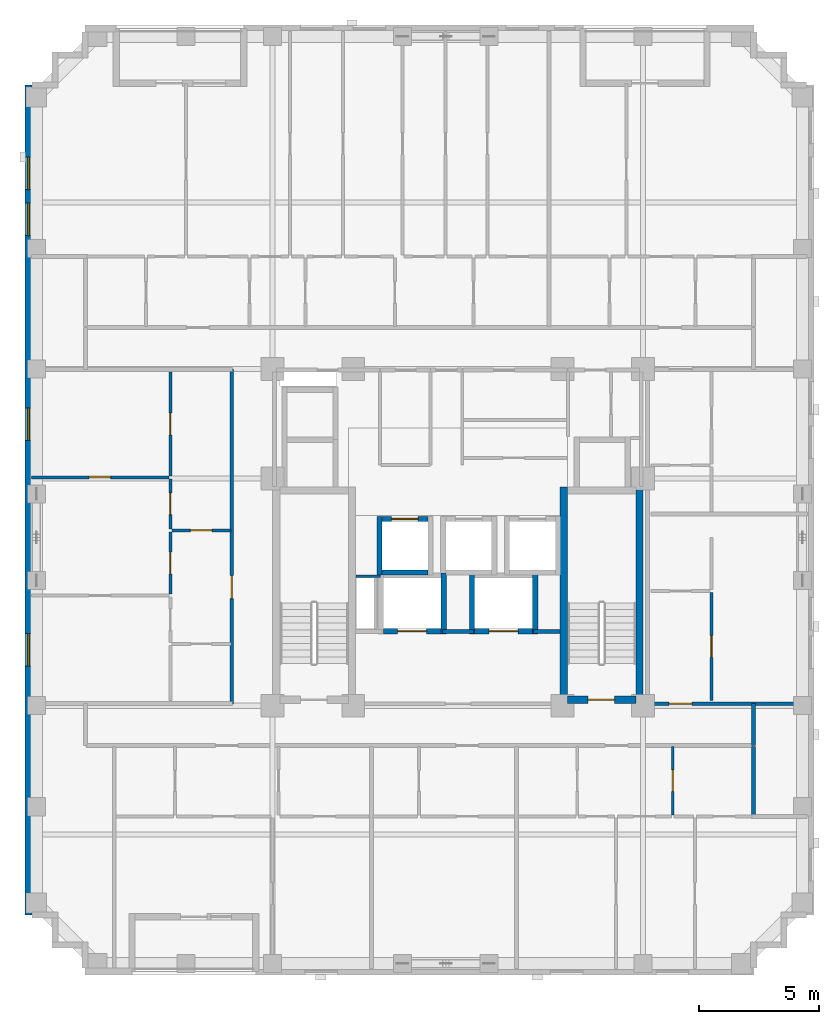
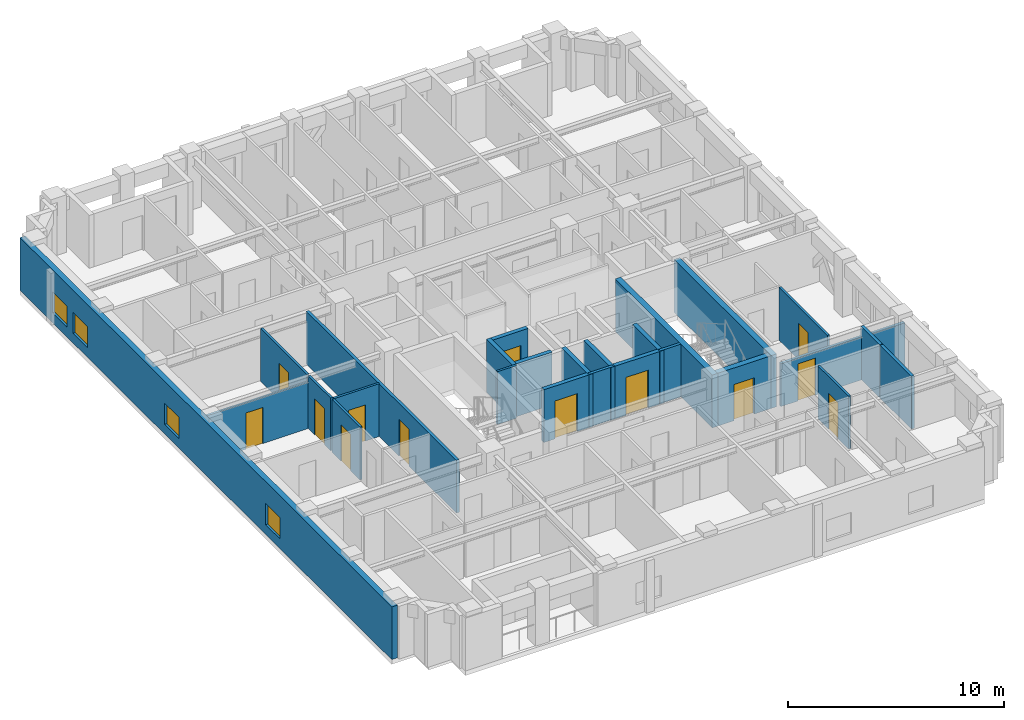
# One storey, part 4 of 11: 26 walls, 13 doors, 4 windows, 17 openings.
"""IFC4 building model written with IfcOpenShell, lengths in metres."""

from ifc_helpers import new_model, si_unit, derived_unit, direction, frame, frame_2d, origin, place, context, subcontext, project, spatial, rectangle, extrude, material, layer, layer_set, type_object, element, fill, save


model = new_model("IFC4")

# Units and contexts
model_context = context("Model", 3, precision=1e-05, world=origin(), true_north=direction((0.0, 1.0)))
body_context = subcontext(model_context, "Body", "Model", "MODEL_VIEW")
ifc_project = project(units=[si_unit("LENGTHUNIT", "METRE"), si_unit("AREAUNIT", "SQUARE_METRE"), si_unit("VOLUMEUNIT", "CUBIC_METRE"), si_unit("PLANEANGLEUNIT", "RADIAN"), si_unit("MASSUNIT", "GRAM", prefix="KILO"), derived_unit("THERMALTRANSMITTANCEUNIT", [(si_unit("MASSUNIT", "GRAM", prefix="KILO"), 1), (si_unit("TIMEUNIT", "SECOND"), -3), (si_unit("THERMODYNAMICTEMPERATUREUNIT", "KELVIN"), -1)])], contexts=[model_context])

# Site, building, storey
site_placement = place(None, origin())
site = spatial("IfcSite", under=ifc_project, at=site_placement, CompositionType="ELEMENT")
building_placement = place(site_placement, origin())
building = spatial("IfcBuilding", under=site, at=building_placement, Name="Korrvale Station Residences", CompositionType="ELEMENT")
storey_placement = place(building_placement, frame((0.0, 0.0, 134.14990234375)))
storey = spatial("IfcBuildingStorey", under=building, at=storey_placement, Name="L38", CompositionType="ELEMENT", Elevation=134.14990234375)

# Walls
ifc_material_1 = material(Name="Concrete C60/75", Category="concrete")
ifc_layer_1 = layer(ifc_material_1, 0.300048828125, Name="Concrete C60/75")
ifc_layer_set_1 = layer_set([ifc_layer_1], Name="Concrete C60/75")
wall_type_1 = type_object("IfcWallType", Name="WAL-CORE-300-C60", PredefinedType="SHEAR", material=ifc_layer_set_1)
for number, where, z_axis, x_axis, name in (
    (1, (29.89990234375, 15.10009765625, 0.0), (0.0, 0.0, 1.0), (0.0, 1.0, 0.0), "L38 ST-2 Core Shear Wall West"),
    (2, (33.050048828125, 15.10009765625, 0.0), (0.0, 0.0, 1.0), (0.0, 1.0, 0.0), "L38 ST-2 Core Shear Wall East"),
):
    element("IfcWall", number, at=place(storey_placement, frame(where, z_axis=z_axis, x_axis=x_axis)), inside=storey, type_object=wall_type_1, Name=name, PredefinedType="SHEAR", context=body_context, shape_type="SweptSolid", body=[
        extrude(rectangle(XDim=9.0, YDim=0.300048828125, at=frame_2d((4.5, 0.0))), origin(), (0.0, 0.0, 1.0), 2.989990234375),
    ])

# Wall, opening, door
wall_1_placement = place(storey_placement, frame((30.050048828125, 15.25, 0.0), z_axis=(0.0, 0.0, 1.0), x_axis=(1.0, 0.0, 0.0)))
wall_1 = element("IfcWall", 3, at=wall_1_placement, inside=storey, type_object=wall_type_1, Name="L38 ST-2 Core Shear Wall South", PredefinedType="SHEAR", context=body_context, shape_type="SweptSolid", body=[
    extrude(rectangle(XDim=2.849853515625, YDim=0.300048828125, at=frame_2d((1.4248046875, 0.0))), origin(), (0.0, 0.0, 1.0), 2.989990234375),
])
opening_1_placement = place(wall_1_placement, frame((0.860107421875, 0.0, 0.0)))
opening_1 = element("IfcOpeningElement", 4, at=opening_1_placement, cuts=wall_1, Name="Opening SD-1100", PredefinedType="OPENING", context=body_context, shape_type="SweptSolid", body=[
    extrude(rectangle(XDim=1.10009765625, YDim=2.050048828125, at=frame_2d((0.550048828125, 1.02490234375))), frame((0.0, 0.16015625, 0.0), z_axis=(0.0, -1.0, 0.0), x_axis=(1.0, 0.0, 0.0)), (0.0, 0.0, 1.0), 0.320068359375),
])
ifc_material_2 = material(Name="Hollow-metal fire-rated stair door with closer", Category="steel")
door_type_1 = type_object("IfcDoorType", Name="DR-STAIR-1100", OperationType="NOTDEFINED", PredefinedType="DOOR", material=ifc_material_2)
door_1_placement = place(opening_1_placement, origin())
door_1 = element("IfcDoor", 5, at=door_1_placement, inside=storey, type_object=door_type_1, Name="L38 ST-2 Exit Stair Door", OperationType="SINGLE_SWING_RIGHT", OverallHeight=2.050048828125, OverallWidth=1.10009765625, PredefinedType="DOOR", context=body_context, shape_type="SweptSolid", body=[
    extrude(rectangle(XDim=1.10009765625, YDim=2.050048828125, at=frame_2d((0.550048828125, 1.02490234375))), frame((0.0, 0.02490234375, 0.0), z_axis=(0.0, -1.0, 0.0), x_axis=(1.0, 0.0, 0.0)), (0.0, 0.0, 1.0), 0.050048828125),
])
fill(opening_1, door_1)

# Wall, openings, windows
ifc_material_3 = material(Name="Precast concrete C45/55", Category="concrete")
ifc_layer_2 = layer(ifc_material_3, 0.300048828125, Name="Precast concrete C45/55")
ifc_layer_set_2 = layer_set([ifc_layer_2], Name="Precast concrete C45/55")
wall_type_2 = type_object("IfcWallType", Name="WAL-EXT-PC300", PredefinedType="SOLIDWALL", material=ifc_layer_set_2)
wall_2_placement = place(storey_placement, frame((7.64990234375, 6.300048828125, 0.0), z_axis=(0.0, 0.0, 1.0), x_axis=(0.0, 1.0, 0.0)))
wall_2 = element("IfcWall", 6, at=wall_2_placement, inside=storey, type_object=wall_type_2, Name="L38 West Exterior Precast Wall 1", PredefinedType="SOLIDWALL", context=body_context, shape_type="SweptSolid", body=[
    extrude(rectangle(XDim=34.5, YDim=0.300048828125, at=frame_2d((17.25, 0.0))), origin(), (0.0, 0.0, 1.0), 2.989990234375),
])
opening_2_placement = place(wall_2_placement, frame((30.14990234375, 0.0, 0.550048828125)))
opening_2 = element("IfcOpeningElement", 7, at=opening_2_placement, cuts=wall_2, Name="Opening W-10", PredefinedType="OPENING", context=body_context, shape_type="SweptSolid", body=[
    extrude(rectangle(XDim=1.35009765625, YDim=1.199951171875, at=frame_2d((0.675048828125, 0.60009765625))), frame((0.0, 0.16015625, 0.0), z_axis=(0.0, -1.0, 0.0), x_axis=(1.0, 0.0, 0.0)), (0.0, 0.0, 1.0), 0.320068359375),
])
opening_3_placement = place(wall_2_placement, frame((28.235107421875, 0.0, 0.550048828125)))
opening_3 = element("IfcOpeningElement", 8, at=opening_3_placement, cuts=wall_2, Name="Opening W-10", PredefinedType="OPENING", context=body_context, shape_type="SweptSolid", body=[
    extrude(rectangle(XDim=1.35009765625, YDim=1.199951171875, at=frame_2d((0.675048828125, 0.60009765625))), frame((0.0, 0.16015625, 0.0), z_axis=(0.0, -1.0, 0.0), x_axis=(1.0, 0.0, 0.0)), (0.0, 0.0, 1.0), 0.320068359375),
])
opening_4_placement = place(wall_2_placement, frame((10.35009765625, 0.0, 0.550048828125)))
opening_4 = element("IfcOpeningElement", 9, at=opening_4_placement, cuts=wall_2, Name="Opening W-10", PredefinedType="OPENING", context=body_context, shape_type="SweptSolid", body=[
    extrude(rectangle(XDim=1.35009765625, YDim=1.199951171875, at=frame_2d((0.675048828125, 0.60009765625))), frame((0.0, 0.16015625, 0.0), z_axis=(0.0, -1.0, 0.0), x_axis=(1.0, 0.0, 0.0)), (0.0, 0.0, 1.0), 0.320068359375),
])
opening_5_placement = place(wall_2_placement, frame((19.72509765625, 0.0, 0.550048828125)))
opening_5 = element("IfcOpeningElement", 10, at=opening_5_placement, cuts=wall_2, Name="Opening W-10", PredefinedType="OPENING", context=body_context, shape_type="SweptSolid", body=[
    extrude(rectangle(XDim=1.35009765625, YDim=1.199951171875, at=frame_2d((0.675048828125, 0.60009765625))), frame((0.0, 0.16015625, 0.0), z_axis=(0.0, -1.0, 0.0), x_axis=(1.0, 0.0, 0.0)), (0.0, 0.0, 1.0), 0.320068359375),
])
ifc_material_4 = material(Name="Thermally broken aluminium frame with triple low-e glazing", Category="aluminium")
window_type = type_object("IfcWindowType", Name="WIN-W10", PartitioningType="SINGLE_PANEL", PredefinedType="WINDOW", material=ifc_material_4)
window_1_placement = place(opening_2_placement, origin())
window_1 = element("IfcWindow", 11, at=window_1_placement, inside=storey, type_object=window_type, Name="L38 Punched Window 06", OverallHeight=1.199951171875, OverallWidth=1.35009765625, PartitioningType="SINGLE_PANEL", PredefinedType="WINDOW", context=body_context, shape_type="SweptSolid", body=[
    extrude(rectangle(XDim=1.35009765625, YDim=1.199951171875, at=frame_2d((0.675048828125, 0.60009765625))), frame((0.0, 0.030029296875, 0.0), z_axis=(0.0, -1.0, 0.0), x_axis=(1.0, 0.0, 0.0)), (0.0, 0.0, 1.0), 0.06005859375),
])
fill(opening_2, window_1)
window_2_placement = place(opening_3_placement, origin())
window_2 = element("IfcWindow", 12, at=window_2_placement, inside=storey, type_object=window_type, Name="L38 Punched Window 07", OverallHeight=1.199951171875, OverallWidth=1.35009765625, PartitioningType="SINGLE_PANEL", PredefinedType="WINDOW", context=body_context, shape_type="SweptSolid", body=[
    extrude(rectangle(XDim=1.35009765625, YDim=1.199951171875, at=frame_2d((0.675048828125, 0.60009765625))), frame((0.0, 0.030029296875, 0.0), z_axis=(0.0, -1.0, 0.0), x_axis=(1.0, 0.0, 0.0)), (0.0, 0.0, 1.0), 0.06005859375),
])
fill(opening_3, window_2)
window_3_placement = place(opening_4_placement, origin())
window_3 = element("IfcWindow", 13, at=window_3_placement, inside=storey, type_object=window_type, Name="L38 Punched Window 15", OverallHeight=1.199951171875, OverallWidth=1.35009765625, PartitioningType="SINGLE_PANEL", PredefinedType="WINDOW", context=body_context, shape_type="SweptSolid", body=[
    extrude(rectangle(XDim=1.35009765625, YDim=1.199951171875, at=frame_2d((0.675048828125, 0.60009765625))), frame((0.0, 0.030029296875, 0.0), z_axis=(0.0, -1.0, 0.0), x_axis=(1.0, 0.0, 0.0)), (0.0, 0.0, 1.0), 0.06005859375),
])
fill(opening_4, window_3)
window_4_placement = place(opening_5_placement, origin())
window_4 = element("IfcWindow", 14, at=window_4_placement, inside=storey, type_object=window_type, Name="L38 Punched Window 16", OverallHeight=1.199951171875, OverallWidth=1.35009765625, PartitioningType="SINGLE_PANEL", PredefinedType="WINDOW", context=body_context, shape_type="SweptSolid", body=[
    extrude(rectangle(XDim=1.35009765625, YDim=1.199951171875, at=frame_2d((0.675048828125, 0.60009765625))), frame((0.0, 0.030029296875, 0.0), z_axis=(0.0, -1.0, 0.0), x_axis=(1.0, 0.0, 0.0)), (0.0, 0.0, 1.0), 0.06005859375),
])
fill(opening_5, window_4)

# Wall
ifc_material_5 = material(Name="Acoustic steel-stud gypsum board partition", Category="steel")
ifc_layer_3 = layer(ifc_material_5, 0.1201171875, Name="Acoustic steel-stud gypsum board partition")
ifc_layer_set_3 = layer_set([ifc_layer_3], Name="Acoustic steel-stud gypsum board partition")
wall_type_3 = type_object("IfcWallType", Name="WAL-PART-125", PredefinedType="PARTITIONING", material=ifc_layer_set_3)
wall_3_placement = place(storey_placement, frame((22.280029296875, 20.3798828125, 0.0), z_axis=(0.0, 0.0, 1.0), x_axis=(-1.0, 0.0, 0.0)))
element("IfcWall", 15, at=wall_3_placement, inside=storey, type_object=wall_type_3, Name="L38 Core Partition CW-RSWT-N", PredefinedType="PARTITIONING", context=body_context, shape_type="SweptSolid", body=[
    extrude(rectangle(XDim=1.02001953125, YDim=0.1201171875, at=frame_2d((0.510009765625, 0.0))), origin(), (0.0, 0.0, 1.0), 2.989990234375),
])

# Wall, opening, door
wall_4_placement = place(storey_placement, frame((34.429931640625, 10.4599609375, 0.0), z_axis=(0.0, 0.0, 1.0), x_axis=(0.0, 1.0, 0.0)))
wall_4 = element("IfcWall", 16, at=wall_4_placement, inside=storey, type_object=wall_type_3, Name="L38 Suite Partition U03-V12", PredefinedType="PARTITIONING", context=body_context, shape_type="SweptSolid", body=[
    extrude(rectangle(XDim=2.85009765625, YDim=0.1201171875, at=frame_2d((1.425048828125, 0.0))), origin(), (0.0, 0.0, 1.0), 2.989990234375),
])
opening_6_placement = place(wall_4_placement, frame((0.97509765625, 0.0, 0.0)))
opening_6 = element("IfcOpeningElement", 17, at=opening_6_placement, cuts=wall_4, Name="Opening DI-900", PredefinedType="OPENING", context=body_context, shape_type="SweptSolid", body=[
    extrude(rectangle(XDim=0.89990234375, YDim=2.050048828125, at=frame_2d((0.449951171875, 1.02490234375))), frame((0.0, 0.070068359375, 0.0), z_axis=(0.0, -1.0, 0.0), x_axis=(1.0, 0.0, 0.0)), (0.0, 0.0, 1.0), 0.14013671875),
])
ifc_material_6 = material(Name="Painted solid-core timber interior room door", Category="wood")
door_type_2 = type_object("IfcDoorType", Name="DR-INT-900", OperationType="NOTDEFINED", PredefinedType="DOOR", material=ifc_material_6)
door_2_placement = place(opening_6_placement, origin())
door_2 = element("IfcDoor", 18, at=door_2_placement, inside=storey, type_object=door_type_2, Name="L38 Apartment 1BR L38-U03 Kitchen Door", OperationType="SINGLE_SWING_RIGHT", OverallHeight=2.050048828125, OverallWidth=0.89990234375, PredefinedType="DOOR", context=body_context, shape_type="SweptSolid", body=[
    extrude(rectangle(XDim=0.89990234375, YDim=2.050048828125, at=frame_2d((0.449951171875, 1.02490234375))), frame((0.0, 0.02490234375, 0.0), z_axis=(0.0, -1.0, 0.0), x_axis=(1.0, 0.0, 0.0)), (0.0, 0.0, 1.0), 0.050048828125),
])
fill(opening_6, door_2)

wall_5_placement = place(storey_placement, frame((13.610107421875, 22.2900390625, 0.0), z_axis=(0.0, 0.0, 1.0), x_axis=(1.0, 0.0, 0.0)))
wall_5 = element("IfcWall", 19, at=wall_5_placement, inside=storey, type_object=wall_type_3, Name="L38 Suite Partition U06-H02", PredefinedType="PARTITIONING", context=body_context, shape_type="SweptSolid", body=[
    extrude(rectangle(XDim=2.449951171875, YDim=0.1201171875, at=frame_2d((1.22509765625, 0.0))), origin(), (0.0, 0.0, 1.0), 2.989990234375),
])
opening_7_placement = place(wall_5_placement, frame((0.77490234375, 0.0, 0.0)))
opening_7 = element("IfcOpeningElement", 20, at=opening_7_placement, cuts=wall_5, Name="Opening DI-900", PredefinedType="OPENING", context=body_context, shape_type="SweptSolid", body=[
    extrude(rectangle(XDim=0.89990234375, YDim=2.050048828125, at=frame_2d((0.449951171875, 1.02490234375))), frame((0.0, 0.070068359375, 0.0), z_axis=(0.0, -1.0, 0.0), x_axis=(1.0, 0.0, 0.0)), (0.0, 0.0, 1.0), 0.14013671875),
])
door_3_placement = place(opening_7_placement, origin())
door_3 = element("IfcDoor", 21, at=door_3_placement, inside=storey, type_object=door_type_2, Name="L38 Apartment 2BR L38-U06 Wardrobe Storage Room Door", OperationType="SINGLE_SWING_LEFT", OverallHeight=2.050048828125, OverallWidth=0.89990234375, PredefinedType="DOOR", context=body_context, shape_type="SweptSolid", body=[
    extrude(rectangle(XDim=0.89990234375, YDim=2.050048828125, at=frame_2d((0.449951171875, 1.02490234375))), frame((0.0, 0.02490234375, 0.0), z_axis=(0.0, -1.0, 0.0), x_axis=(1.0, 0.0, 0.0)), (0.0, 0.0, 1.0), 0.050048828125),
])
fill(opening_7, door_3)

wall_6_placement = place(storey_placement, frame((13.550048828125, 22.35009765625, 0.0), z_axis=(0.0, 0.0, 1.0), x_axis=(0.0, 1.0, 0.0)))
wall_6 = element("IfcWall", 22, at=wall_6_placement, inside=storey, type_object=wall_type_3, Name="L38 Suite Partition U06-V04", PredefinedType="PARTITIONING", context=body_context, shape_type="SweptSolid", body=[
    extrude(rectangle(XDim=2.081787109375, YDim=0.1201171875, at=frame_2d((1.041015625, 0.0))), origin(), (0.0, 0.0, 1.0), 2.989990234375),
])
opening_8_placement = place(wall_6_placement, frame((0.591064453125, 0.0, 0.0)))
opening_8 = element("IfcOpeningElement", 23, at=opening_8_placement, cuts=wall_6, Name="Opening DI-900", PredefinedType="OPENING", context=body_context, shape_type="SweptSolid", body=[
    extrude(rectangle(XDim=0.89990234375, YDim=2.050048828125, at=frame_2d((0.449951171875, 1.02490234375))), frame((0.0, 0.070068359375, 0.0), z_axis=(0.0, -1.0, 0.0), x_axis=(1.0, 0.0, 0.0)), (0.0, 0.0, 1.0), 0.14013671875),
])
door_4_placement = place(opening_8_placement, origin())
door_4 = element("IfcDoor", 24, at=door_4_placement, inside=storey, type_object=door_type_2, Name="L38 Apartment 2BR L38-U06 Wardrobe Storage Room Door", OperationType="SINGLE_SWING_RIGHT", OverallHeight=2.050048828125, OverallWidth=0.89990234375, PredefinedType="DOOR", context=body_context, shape_type="SweptSolid", body=[
    extrude(rectangle(XDim=0.89990234375, YDim=2.050048828125, at=frame_2d((0.449951171875, 1.02490234375))), frame((0.0, 0.02490234375, 0.0), z_axis=(0.0, -1.0, 0.0), x_axis=(1.0, 0.0, 0.0)), (0.0, 0.0, 1.0), 0.050048828125),
])
fill(opening_8, door_4)

wall_7_placement = place(storey_placement, frame((13.550048828125, 24.552001953125, 0.0), z_axis=(0.0, 0.0, 1.0), x_axis=(0.0, 1.0, 0.0)))
wall_7 = element("IfcWall", 25, at=wall_7_placement, inside=storey, type_object=wall_type_3, Name="L38 Suite Partition U06-V05", PredefinedType="PARTITIONING", context=body_context, shape_type="SweptSolid", body=[
    extrude(rectangle(XDim=4.30810546875, YDim=0.1201171875, at=frame_2d((2.154052734375, 0.0))), origin(), (0.0, 0.0, 1.0), 2.989990234375),
])
opening_9_placement = place(wall_7_placement, frame((1.7041015625, 0.0, 0.0)))
opening_9 = element("IfcOpeningElement", 26, at=opening_9_placement, cuts=wall_7, Name="Opening DI-900", PredefinedType="OPENING", context=body_context, shape_type="SweptSolid", body=[
    extrude(rectangle(XDim=0.89990234375, YDim=2.050048828125, at=frame_2d((0.449951171875, 1.02490234375))), frame((0.0, 0.070068359375, 0.0), z_axis=(0.0, -1.0, 0.0), x_axis=(1.0, 0.0, 0.0)), (0.0, 0.0, 1.0), 0.14013671875),
])
door_5_placement = place(opening_9_placement, origin())
door_5 = element("IfcDoor", 27, at=door_5_placement, inside=storey, type_object=door_type_2, Name="L38 Apartment 2BR L38-U06 Wardrobe Storage Room Door", OperationType="SINGLE_SWING_LEFT", OverallHeight=2.050048828125, OverallWidth=0.89990234375, PredefinedType="DOOR", context=body_context, shape_type="SweptSolid", body=[
    extrude(rectangle(XDim=0.89990234375, YDim=2.050048828125, at=frame_2d((0.449951171875, 1.02490234375))), frame((0.0, 0.02490234375, 0.0), z_axis=(0.0, -1.0, 0.0), x_axis=(1.0, 0.0, 0.0)), (0.0, 0.0, 1.0), 0.050048828125),
])
fill(opening_9, door_5)

wall_8_placement = place(storey_placement, frame((13.550048828125, 19.637939453125, 0.0), z_axis=(0.0, 0.0, 1.0), x_axis=(0.0, 1.0, 0.0)))
wall_8 = element("IfcWall", 28, at=wall_8_placement, inside=storey, type_object=wall_type_3, Name="L38 Suite Partition U06-V24", PredefinedType="PARTITIONING", context=body_context, shape_type="SweptSolid", body=[
    extrude(rectangle(XDim=2.592041015625, YDim=0.1201171875, at=frame_2d((1.2958984375, 0.0))), origin(), (0.0, 0.0, 1.0), 2.989990234375),
])
opening_10_placement = place(wall_8_placement, frame((0.845947265625, 0.0, 0.0)))
opening_10 = element("IfcOpeningElement", 29, at=opening_10_placement, cuts=wall_8, Name="Opening DI-900", PredefinedType="OPENING", context=body_context, shape_type="SweptSolid", body=[
    extrude(rectangle(XDim=0.89990234375, YDim=2.050048828125, at=frame_2d((0.449951171875, 1.02490234375))), frame((0.0, 0.070068359375, 0.0), z_axis=(0.0, -1.0, 0.0), x_axis=(1.0, 0.0, 0.0)), (0.0, 0.0, 1.0), 0.14013671875),
])
door_6_placement = place(opening_10_placement, origin())
door_6 = element("IfcDoor", 30, at=door_6_placement, inside=storey, type_object=door_type_2, Name="L38 Apartment 2BR L38-U06 Kitchen Door", OperationType="SINGLE_SWING_RIGHT", OverallHeight=2.050048828125, OverallWidth=0.89990234375, PredefinedType="DOOR", context=body_context, shape_type="SweptSolid", body=[
    extrude(rectangle(XDim=0.89990234375, YDim=2.050048828125, at=frame_2d((0.449951171875, 1.02490234375))), frame((0.0, 0.02490234375, 0.0), z_axis=(0.0, -1.0, 0.0), x_axis=(1.0, 0.0, 0.0)), (0.0, 0.0, 1.0), 0.050048828125),
])
fill(opening_10, door_6)

wall_9_placement = place(storey_placement, frame((7.780029296875, 24.491943359375, 0.0), z_axis=(0.0, 0.0, 1.0), x_axis=(1.0, 0.0, 0.0)))
wall_9 = element("IfcWall", 31, at=wall_9_placement, inside=storey, type_object=wall_type_3, Name="L38 Suite Partition U06-H45", PredefinedType="PARTITIONING", context=body_context, shape_type="SweptSolid", body=[
    extrude(rectangle(XDim=5.7099609375, YDim=0.1201171875, at=frame_2d((2.85498046875, 0.0))), origin(), (0.0, 0.0, 1.0), 2.62109375),
])
opening_11_placement = place(wall_9_placement, frame((2.389892578125, 0.0, 0.0)))
opening_11 = element("IfcOpeningElement", 32, at=opening_11_placement, cuts=wall_9, Name="Opening DI-900", PredefinedType="OPENING", context=body_context, shape_type="SweptSolid", body=[
    extrude(rectangle(XDim=0.89990234375, YDim=2.050048828125, at=frame_2d((0.449951171875, 1.02490234375))), frame((0.0, 0.070068359375, 0.0), z_axis=(0.0, -1.0, 0.0), x_axis=(1.0, 0.0, 0.0)), (0.0, 0.0, 1.0), 0.14013671875),
])
door_7_placement = place(opening_11_placement, origin())
door_7 = element("IfcDoor", 33, at=door_7_placement, inside=storey, type_object=door_type_2, Name="L38 Apartment 2BR L38-U06 Living and Dining Room Door", OperationType="SINGLE_SWING_RIGHT", OverallHeight=2.050048828125, OverallWidth=0.89990234375, PredefinedType="DOOR", context=body_context, shape_type="SweptSolid", body=[
    extrude(rectangle(XDim=0.89990234375, YDim=2.050048828125, at=frame_2d((0.449951171875, 1.02490234375))), frame((0.0, 0.02490234375, 0.0), z_axis=(0.0, -1.0, 0.0), x_axis=(1.0, 0.0, 0.0)), (0.0, 0.0, 1.0), 0.050048828125),
])
fill(opening_11, door_7)

wall_10_placement = place(storey_placement, frame((36.0400390625, 15.2099609375, 0.0), z_axis=(0.0, 0.0, 1.0), x_axis=(0.0, 1.0, 0.0)))
wall_10 = element("IfcWall", 34, at=wall_10_placement, inside=storey, type_object=wall_type_3, Name="L38 Suite Partition U07-V12", PredefinedType="PARTITIONING", context=body_context, shape_type="SweptSolid", body=[
    extrude(rectangle(XDim=4.5, YDim=0.1201171875, at=frame_2d((2.25, 0.0))), origin(), (0.0, 0.0, 1.0), 2.989990234375),
])
opening_12_placement = place(wall_10_placement, frame((1.800048828125, 0.0, 0.0)))
opening_12 = element("IfcOpeningElement", 35, at=opening_12_placement, cuts=wall_10, Name="Opening DI-900", PredefinedType="OPENING", context=body_context, shape_type="SweptSolid", body=[
    extrude(rectangle(XDim=0.89990234375, YDim=2.050048828125, at=frame_2d((0.449951171875, 1.02490234375))), frame((0.0, 0.070068359375, 0.0), z_axis=(0.0, -1.0, 0.0), x_axis=(1.0, 0.0, 0.0)), (0.0, 0.0, 1.0), 0.14013671875),
])
door_8_placement = place(opening_12_placement, origin())
door_8 = element("IfcDoor", 36, at=door_8_placement, inside=storey, type_object=door_type_2, Name="L38 Apartment 1BR L38-U07 Kitchen Door", OperationType="SINGLE_SWING_LEFT", OverallHeight=2.050048828125, OverallWidth=0.89990234375, PredefinedType="DOOR", context=body_context, shape_type="SweptSolid", body=[
    extrude(rectangle(XDim=0.89990234375, YDim=2.050048828125, at=frame_2d((0.449951171875, 1.02490234375))), frame((0.0, 0.02490234375, 0.0), z_axis=(0.0, -1.0, 0.0), x_axis=(1.0, 0.0, 0.0)), (0.0, 0.0, 1.0), 0.050048828125),
])
fill(opening_12, door_8)

# Walls
ifc_material_7 = material(Name="Fire-rated twin-stud gypsum and mineral wool shaftwall assembly", Category="gypsum")
ifc_layer_4 = layer(ifc_material_7, 0.159912109375, Name="Fire-rated twin-stud gypsum and mineral wool shaftwall assembly")
ifc_layer_set_4 = layer_set([ifc_layer_4], Name="Fire-rated twin-stud gypsum and mineral wool shaftwall assembly")
wall_type_4 = type_object("IfcWallType", Name="WAL-PART-200", PredefinedType="PARTITIONING", material=ifc_layer_set_4)
wall_11_placement = place(storey_placement, frame((24.85009765625, 18.080078125, 0.0), z_axis=(0.0, 0.0, 1.0), x_axis=(1.0, 0.0, 0.0)))
element("IfcWall", 37, at=wall_11_placement, inside=storey, type_object=wall_type_4, Name="L38 Core Partition CW-FFL-N2", PredefinedType="PARTITIONING", context=body_context, shape_type="SweptSolid", body=[
    extrude(rectangle(XDim=1.2998046875, YDim=0.159912109375, at=frame_2d((0.64990234375, 0.0))), origin(), (0.0, 0.0, 1.0), 2.989990234375),
])
wall_12_placement = place(storey_placement, frame((28.64990234375, 18.080078125, 0.0), z_axis=(0.0, 0.0, 1.0), x_axis=(1.0, 0.0, 0.0)))
element("IfcWall", 38, at=wall_12_placement, inside=storey, type_object=wall_type_4, Name="L38 Core Partition CW-FFL-N3", PredefinedType="PARTITIONING", context=body_context, shape_type="SweptSolid", body=[
    extrude(rectangle(XDim=1.10009765625, YDim=0.159912109375, at=frame_2d((0.550048828125, 0.0))), origin(), (0.0, 0.0, 1.0), 2.989990234375),
])
wall_13_placement = place(storey_placement, frame((37.780029296875, 13.35009765625, 0.0), z_axis=(0.0, 0.0, 1.0), x_axis=(0.0, 1.0, 0.0)))
element("IfcWall", 39, at=wall_13_placement, inside=storey, type_object=wall_type_4, Name="L38 Corridor South East Cap", PredefinedType="PARTITIONING", context=body_context, shape_type="SweptSolid", body=[
    extrude(rectangle(XDim=1.739990234375, YDim=0.159912109375, at=frame_2d((0.8701171875, 0.0))), origin(), (0.0, 0.0, 1.0), 2.989990234375),
])
wall_14_placement = place(storey_placement, frame((37.780029296875, 10.39990234375, 0.0), z_axis=(0.0, 0.0, 1.0), x_axis=(0.0, 1.0, 0.0)))
element("IfcWall", 40, at=wall_14_placement, inside=storey, type_object=wall_type_4, Name="L38 Corner Step Cheek U03-R", PredefinedType="PARTITIONING", context=body_context, shape_type="SweptSolid", body=[
    extrude(rectangle(XDim=2.91015625, YDim=0.159912109375, at=frame_2d((1.455078125, 0.0))), origin(), (0.0, 0.0, 1.0), 2.989990234375),
])

# Wall, opening, door
wall_15_placement = place(storey_placement, frame((33.3798828125, 15.080078125, 0.0), z_axis=(0.0, 0.0, 1.0), x_axis=(1.0, 0.0, 0.0)))
wall_15 = element("IfcWall", 41, at=wall_15_placement, inside=storey, type_object=wall_type_4, Name="L38 Side Suite South Entry Wall U07", PredefinedType="PARTITIONING", context=body_context, shape_type="SweptSolid", body=[
    extrude(rectangle(XDim=6.64013671875, YDim=0.159912109375, at=frame_2d((3.320068359375, 0.0))), origin(), (0.0, 0.0, 1.0), 2.426025390625),
])
opening_13_placement = place(wall_15_placement, frame((0.89990234375, 0.0, 0.0)))
opening_13 = element("IfcOpeningElement", 42, at=opening_13_placement, cuts=wall_15, Name="Opening UD-950", PredefinedType="OPENING", context=body_context, shape_type="SweptSolid", body=[
    extrude(rectangle(XDim=0.949951171875, YDim=2.10009765625, at=frame_2d((0.47509765625, 1.050048828125))), frame((0.0, 0.08984375, 0.0), z_axis=(0.0, -1.0, 0.0), x_axis=(1.0, 0.0, 0.0)), (0.0, 0.0, 1.0), 0.179931640625),
])
ifc_material_8 = material(Name="Solid-core acoustic oak apartment entrance door", Category="timber")
door_type_3 = type_object("IfcDoorType", Name="DR-UNIT-950", OperationType="NOTDEFINED", PredefinedType="DOOR", material=ifc_material_8)
door_9_placement = place(opening_13_placement, origin())
door_9 = element("IfcDoor", 43, at=door_9_placement, inside=storey, type_object=door_type_3, Name="L38 Apartment L38-U07 Entrance Door", OperationType="SINGLE_SWING_LEFT", OverallHeight=2.10009765625, OverallWidth=0.949951171875, PredefinedType="DOOR", context=body_context, shape_type="SweptSolid", body=[
    extrude(rectangle(XDim=0.949951171875, YDim=2.10009765625, at=frame_2d((0.47509765625, 1.050048828125))), frame((0.0, 0.02490234375, 0.0), z_axis=(0.0, -1.0, 0.0), x_axis=(1.0, 0.0, 0.0)), (0.0, 0.0, 1.0), 0.050048828125),
])
fill(opening_13, door_9)

wall_16_placement = place(storey_placement, frame((16.10009765625, 15.070068359375, 0.0), z_axis=(0.0, 0.0, 1.0), x_axis=(0.0, 1.0, 0.0)))
wall_16 = element("IfcWall", 44, at=wall_16_placement, inside=storey, type_object=wall_type_4, Name="L38 Rated Corridor Wall W", PredefinedType="PARTITIONING", context=body_context, shape_type="SweptSolid", body=[
    extrude(rectangle(XDim=13.929931640625, YDim=0.159912109375, at=frame_2d((6.96484375, 0.0))), origin(), (0.0, 0.0, 1.0), 2.989990234375),
])
opening_14_placement = place(wall_16_placement, frame((4.385009765625, 0.0, 0.0)))
opening_14 = element("IfcOpeningElement", 45, at=opening_14_placement, cuts=wall_16, Name="Opening UD-950", PredefinedType="OPENING", context=body_context, shape_type="SweptSolid", body=[
    extrude(rectangle(XDim=0.949951171875, YDim=2.10009765625, at=frame_2d((0.47509765625, 1.050048828125))), frame((0.0, 0.08984375, 0.0), z_axis=(0.0, -1.0, 0.0), x_axis=(1.0, 0.0, 0.0)), (0.0, 0.0, 1.0), 0.179931640625),
])
door_10_placement = place(opening_14_placement, origin())
door_10 = element("IfcDoor", 46, at=door_10_placement, inside=storey, type_object=door_type_3, Name="L38 Apartment L38-U06 Entrance Door", OperationType="SINGLE_SWING_RIGHT", OverallHeight=2.10009765625, OverallWidth=0.949951171875, PredefinedType="DOOR", context=body_context, shape_type="SweptSolid", body=[
    extrude(rectangle(XDim=0.949951171875, YDim=2.10009765625, at=frame_2d((0.47509765625, 1.050048828125))), frame((0.0, 0.02490234375, 0.0), z_axis=(0.0, -1.0, 0.0), x_axis=(1.0, 0.0, 0.0)), (0.0, 0.0, 1.0), 0.050048828125),
])
fill(opening_14, door_10)

# Wall
ifc_layer_5 = layer(ifc_material_1, 0.219970703125, Name="Concrete C60/75")
ifc_layer_set_5 = layer_set([ifc_layer_5], Name="Concrete C60/75")
wall_type_5 = type_object("IfcWallType", Name="WAL-SHAFT-220-C60", PredefinedType="SHEAR", material=ifc_layer_set_5)
wall_17_placement = place(storey_placement, frame((22.35009765625, 20.5400390625, 0.0), z_axis=(0.0, 0.0, 1.0), x_axis=(1.0, 0.0, 0.0)))
element("IfcWall", 47, at=wall_17_placement, inside=storey, type_object=wall_type_5, Name="L38 Elevator PM-1 Hoistway Wall South", PredefinedType="SHEAR", context=body_context, shape_type="SweptSolid", body=[
    extrude(rectangle(XDim=1.89990234375, YDim=0.219970703125, at=frame_2d((0.949951171875, 0.0))), origin(), (0.0, 0.0, 1.0), 2.989990234375),
])

# Wall, opening, door
wall_18_placement = place(storey_placement, frame((22.35009765625, 22.760009765625, 0.0), z_axis=(0.0, 0.0, 1.0), x_axis=(1.0, 0.0, 0.0)))
wall_18 = element("IfcWall", 48, at=wall_18_placement, inside=storey, type_object=wall_type_5, Name="L38 Elevator PM-1 Hoistway Wall North", PredefinedType="SHEAR", context=body_context, shape_type="SweptSolid", body=[
    extrude(rectangle(XDim=1.89990234375, YDim=0.219970703125, at=frame_2d((0.949951171875, 0.0))), origin(), (0.0, 0.0, 1.0), 2.989990234375),
])
opening_15_placement = place(wall_18_placement, frame((0.39990234375, 0.0, 0.0)))
opening_15 = element("IfcOpeningElement", 49, at=opening_15_placement, cuts=wall_18, Name="Opening LD-1100", PredefinedType="OPENING", context=body_context, shape_type="SweptSolid", body=[
    extrude(rectangle(XDim=1.10009765625, YDim=2.14990234375, at=frame_2d((0.550048828125, 1.074951171875))), frame((0.0, 0.1201171875, 0.0), z_axis=(0.0, -1.0, 0.0), x_axis=(1.0, 0.0, 0.0)), (0.0, 0.0, 1.0), 0.239990234375),
])
ifc_material_9 = material(Name="Brushed stainless-steel elevator landing sliding door", Category="steel")
door_type_4 = type_object("IfcDoorType", Name="DR-LIFT-1100", OperationType="SLIDING_TO_LEFT", PredefinedType="DOOR", material=ifc_material_9)
door_11_placement = place(opening_15_placement, origin())
door_11 = element("IfcDoor", 50, at=door_11_placement, inside=storey, type_object=door_type_4, Name="L38 Elevator PM-1 Sliding Landing Door", OperationType="SLIDING_TO_LEFT", OverallHeight=2.14990234375, OverallWidth=1.10009765625, PredefinedType="DOOR", context=body_context, shape_type="SweptSolid", body=[
    extrude(rectangle(XDim=1.10009765625, YDim=2.14990234375, at=frame_2d((0.550048828125, 1.074951171875))), frame((0.0, 0.02490234375, 0.0), z_axis=(0.0, -1.0, 0.0), x_axis=(1.0, 0.0, 0.0)), (0.0, 0.0, 1.0), 0.050048828125),
])
fill(opening_15, door_11)

# Wall
wall_19_placement = place(storey_placement, frame((22.239990234375, 20.429931640625, 0.0), z_axis=(0.0, 0.0, 1.0), x_axis=(0.0, 1.0, 0.0)))
element("IfcWall", 51, at=wall_19_placement, inside=storey, type_object=wall_type_5, Name="L38 Elevator PM-1 Hoistway Wall West", PredefinedType="SHEAR", context=body_context, shape_type="SweptSolid", body=[
    extrude(rectangle(XDim=2.440185546875, YDim=0.219970703125, at=frame_2d((1.22021484375, 0.0))), origin(), (0.0, 0.0, 1.0), 2.989990234375),
])

# Wall, opening, door
wall_20_placement = place(storey_placement, frame((22.39990234375, 18.090087890625, 0.0), z_axis=(0.0, 0.0, 1.0), x_axis=(1.0, 0.0, 0.0)))
wall_20 = element("IfcWall", 52, at=wall_20_placement, inside=storey, type_object=wall_type_5, Name="L38 Elevator FFL-1 Hoistway Wall South", PredefinedType="SHEAR", context=body_context, shape_type="SweptSolid", body=[
    extrude(rectangle(XDim=2.400146484375, YDim=0.219970703125, at=frame_2d((1.2001953125, 0.0))), origin(), (0.0, 0.0, 1.0), 2.989990234375),
])
opening_16_placement = place(wall_20_placement, frame((0.60009765625, 0.0, 0.0)))
opening_16 = element("IfcOpeningElement", 53, at=opening_16_placement, cuts=wall_20, Name="Opening LD-FF1200", PredefinedType="OPENING", context=body_context, shape_type="SweptSolid", body=[
    extrude(rectangle(XDim=1.199951171875, YDim=2.14990234375, at=frame_2d((0.60009765625, 1.074951171875))), frame((0.0, 0.1201171875, 0.0), z_axis=(0.0, -1.0, 0.0), x_axis=(1.0, 0.0, 0.0)), (0.0, 0.0, 1.0), 0.239990234375),
])
ifc_material_10 = material(Name="Stainless-steel firefighter elevator landing sliding door", Category="steel")
door_type_5 = type_object("IfcDoorType", Name="DR-LIFT-FF1200", OperationType="SLIDING_TO_LEFT", PredefinedType="DOOR", material=ifc_material_10)
door_12_placement = place(opening_16_placement, origin())
door_12 = element("IfcDoor", 54, at=door_12_placement, inside=storey, type_object=door_type_5, Name="L38 Elevator FFL-1 Sliding Landing Door", OperationType="SLIDING_TO_LEFT", OverallHeight=2.14990234375, OverallWidth=1.199951171875, PredefinedType="DOOR", context=body_context, shape_type="SweptSolid", body=[
    extrude(rectangle(XDim=1.199951171875, YDim=2.14990234375, at=frame_2d((0.60009765625, 1.074951171875))), frame((0.0, 0.02490234375, 0.0), z_axis=(0.0, -1.0, 0.0), x_axis=(1.0, 0.0, 0.0)), (0.0, 0.0, 1.0), 0.050048828125),
])
fill(opening_16, door_12)

# Wall
wall_21_placement = place(storey_placement, frame((24.909912109375, 17.97998046875, 0.0), z_axis=(0.0, 0.0, 1.0), x_axis=(0.0, 1.0, 0.0)))
element("IfcWall", 55, at=wall_21_placement, inside=storey, type_object=wall_type_5, Name="L38 Elevator FFL-1 Hoistway Wall East", PredefinedType="SHEAR", context=body_context, shape_type="SweptSolid", body=[
    extrude(rectangle(XDim=2.5400390625, YDim=0.219970703125, at=frame_2d((1.27001953125, 0.0))), origin(), (0.0, 0.0, 1.0), 2.989990234375),
])

# Wall, opening, door
wall_22_placement = place(storey_placement, frame((26.199951171875, 18.090087890625, 0.0), z_axis=(0.0, 0.0, 1.0), x_axis=(1.0, 0.0, 0.0)))
wall_22 = element("IfcWall", 56, at=wall_22_placement, inside=storey, type_object=wall_type_5, Name="L38 Elevator FFL-2 Hoistway Wall South", PredefinedType="SHEAR", context=body_context, shape_type="SweptSolid", body=[
    extrude(rectangle(XDim=2.400146484375, YDim=0.219970703125, at=frame_2d((1.2001953125, 0.0))), origin(), (0.0, 0.0, 1.0), 2.989990234375),
])
opening_17_placement = place(wall_22_placement, frame((0.60009765625, 0.0, 0.0)))
opening_17 = element("IfcOpeningElement", 57, at=opening_17_placement, cuts=wall_22, Name="Opening LD-FF1200", PredefinedType="OPENING", context=body_context, shape_type="SweptSolid", body=[
    extrude(rectangle(XDim=1.199951171875, YDim=2.14990234375, at=frame_2d((0.60009765625, 1.074951171875))), frame((0.0, 0.1201171875, 0.0), z_axis=(0.0, -1.0, 0.0), x_axis=(1.0, 0.0, 0.0)), (0.0, 0.0, 1.0), 0.239990234375),
])
door_13_placement = place(opening_17_placement, origin())
door_13 = element("IfcDoor", 58, at=door_13_placement, inside=storey, type_object=door_type_5, Name="L38 Elevator FFL-2 Sliding Landing Door", OperationType="SLIDING_TO_LEFT", OverallHeight=2.14990234375, OverallWidth=1.199951171875, PredefinedType="DOOR", context=body_context, shape_type="SweptSolid", body=[
    extrude(rectangle(XDim=1.199951171875, YDim=2.14990234375, at=frame_2d((0.60009765625, 1.074951171875))), frame((0.0, 0.02490234375, 0.0), z_axis=(0.0, -1.0, 0.0), x_axis=(1.0, 0.0, 0.0)), (0.0, 0.0, 1.0), 0.050048828125),
])
fill(opening_17, door_13)

# Walls
for number, where, z_axis, x_axis, name in (
    (59, (26.090087890625, 17.97998046875, 0.0), (0.0, 0.0, 1.0), (0.0, 1.0, 0.0), "L38 Elevator FFL-2 Hoistway Wall West"),
    (60, (28.7099609375, 17.97998046875, 0.0), (0.0, 0.0, 1.0), (0.0, 1.0, 0.0), "L38 Elevator FFL-2 Hoistway Wall East"),
):
    element("IfcWall", number, at=place(storey_placement, frame(where, z_axis=z_axis, x_axis=x_axis)), inside=storey, type_object=wall_type_5, Name=name, PredefinedType="SHEAR", context=body_context, shape_type="SweptSolid", body=[
        extrude(rectangle(XDim=2.5400390625, YDim=0.219970703125, at=frame_2d((1.27001953125, 0.0))), origin(), (0.0, 0.0, 1.0), 2.989990234375),
    ])

save(model, "model.ifc")
